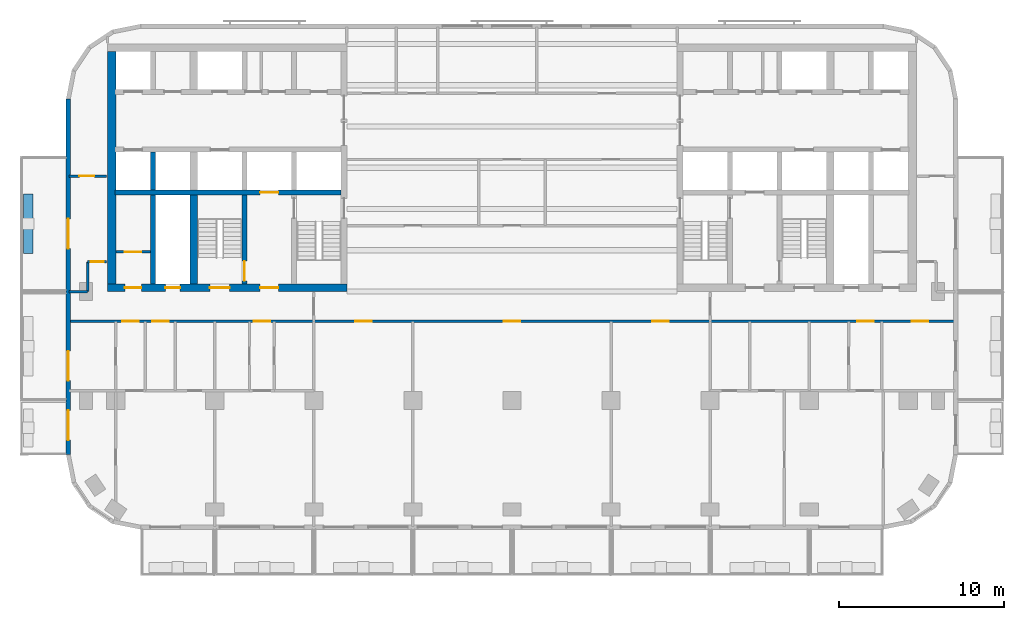
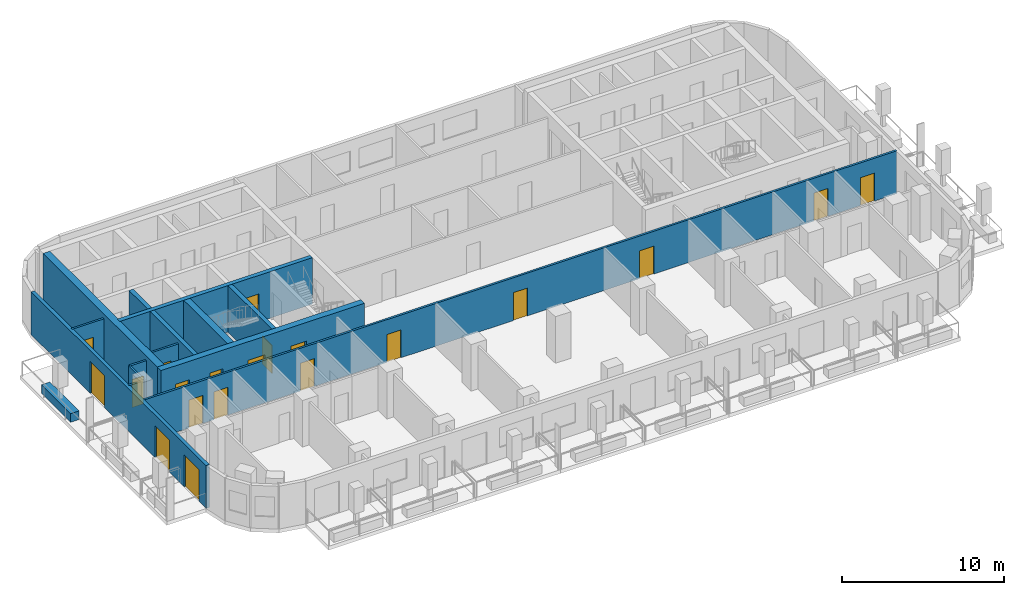
# One storey, part 3 of 11: 20 doors, 15 walls, 20 openings.
"""IFC4 building model written with IfcOpenShell, lengths in metres."""

from ifc_helpers import new_model, si_unit, direction, frame, frame_2d, origin, place, context, subcontext, project, spatial, rectangle, extrude, material, layer, layer_set, type_object, element, fill, save


model = new_model("IFC4")

# Units and contexts
model_context = context("Model", 3, precision=1e-05, world=origin(), true_north=direction((0.0, 1.0)))
body_context = subcontext(model_context, "Body", "Model", "MODEL_VIEW")
ifc_project = project(units=[si_unit("LENGTHUNIT", "METRE"), si_unit("AREAUNIT", "SQUARE_METRE"), si_unit("VOLUMEUNIT", "CUBIC_METRE"), si_unit("PLANEANGLEUNIT", "RADIAN"), si_unit("MASSUNIT", "GRAM", prefix="KILO")], contexts=[model_context])

# Site, building, storey
site_placement = place(None, origin())
site = spatial("IfcSite", under=ifc_project, at=site_placement, CompositionType="ELEMENT")
building_placement = place(site_placement, origin())
building = spatial("IfcBuilding", under=site, at=building_placement, Name="Torana Hotel and Residences", CompositionType="ELEMENT")
storey_placement = place(building_placement, frame((0.0, 0.0, 218.60009765625)))
storey = spatial("IfcBuildingStorey", under=building, at=storey_placement, Name="L57", CompositionType="ELEMENT", Elevation=218.60009765625)

# Wall, opening, door
ifc_material_1 = material(Name="Concrete C70/85", Category="concrete")
ifc_layer_1 = layer(ifc_material_1, 0.300048828125)
ifc_layer_set_1 = layer_set([ifc_layer_1], Name="CORE WALL 300 C70/85")
wall_type_1 = type_object("IfcWallType", Name="CORE WALL 300 C70/85", PredefinedType="SHEAR", material=ifc_layer_set_1)
wall_1_placement = place(storey_placement, frame((-24.050048828125, -9.0, 0.0), z_axis=(0.0, 0.0, 1.0), x_axis=(1.0, 0.0, 0.0)))
wall_1 = element("IfcWall", 1, at=wall_1_placement, inside=storey, type_object=wall_type_1, Name="Core wall W band", PredefinedType="SHEAR", context=body_context, shape_type="SweptSolid", body=[
    extrude(rectangle(XDim=13.699951171875, YDim=0.300048828125, at=frame_2d((6.85009765625, 0.0))), origin(), (0.0, 0.0, 1.0), 3.5),
])
opening_1_placement = place(wall_1_placement, frame((8.800048828125, 0.0, 0.0)))
opening_1 = element("IfcOpeningElement", 2, at=opening_1_placement, cuts=wall_1, Name="Opening LD", PredefinedType="OPENING", context=body_context, shape_type="SweptSolid", body=[
    extrude(rectangle(XDim=1.10009765625, YDim=2.10009765625, at=frame_2d((0.550048828125, 1.050048828125))), frame((0.0, 0.159912109375, 0.0), z_axis=(0.0, -1.0, 0.0), x_axis=(1.0, 0.0, 0.0)), (0.0, 0.0, 1.0), 0.320068359375),
])
ifc_material_2 = material(Name="Stainless steel 316", Category="steel")
door_type_1 = type_object("IfcDoorType", Name="LIFT LANDING DOOR LD 1100x2100", OperationType="DOUBLE_DOOR_SLIDING", PredefinedType="USERDEFINED", material=ifc_material_2)
door_1_placement = place(opening_1_placement, origin())
door_1 = element("IfcDoor", 3, at=door_1_placement, inside=storey, type_object=door_type_1, Name="Lift landing door FF1 L57", ObjectType="LIFT LANDING DOOR", OperationType="DOUBLE_DOOR_SLIDING", OverallHeight=2.10009765625, OverallWidth=1.10009765625, PredefinedType="USERDEFINED", context=body_context, shape_type="SweptSolid", body=[
    extrude(rectangle(XDim=1.10009765625, YDim=2.10009765625, at=frame_2d((0.550048828125, 1.050048828125))), frame((0.0, 0.02490234375, 0.0), z_axis=(0.0, -1.0, 0.0), x_axis=(1.0, 0.0, 0.0)), (0.0, 0.0, 1.0), 0.050048828125),
])
fill(opening_1, door_1)

wall_2_placement = place(storey_placement, frame((-16.199951171875, -14.550048828125, 0.0), z_axis=(0.0, 0.0, 1.0), x_axis=(0.0, 1.0, 0.0)))
wall_2 = element("IfcWall", 4, at=wall_2_placement, inside=storey, type_object=wall_type_1, Name="Core wall W x6.05-band", PredefinedType="SHEAR", context=body_context, shape_type="SweptSolid", body=[
    extrude(rectangle(XDim=5.400146484375, YDim=0.300048828125, at=frame_2d((2.7001953125, 0.0))), origin(), (0.0, 0.0, 1.0), 3.5),
])
opening_2_placement = place(wall_2_placement, frame((0.199951171875, 0.0, 0.0)))
opening_2 = element("IfcOpeningElement", 5, at=opening_2_placement, cuts=wall_2, Name="Opening L57-14", PredefinedType="OPENING", context=body_context, shape_type="SweptSolid", body=[
    extrude(rectangle(XDim=1.199951171875, YDim=2.10009765625, at=frame_2d((0.60009765625, 1.050048828125))), frame((0.0, 0.159912109375, 0.0), z_axis=(0.0, -1.0, 0.0), x_axis=(1.0, 0.0, 0.0)), (0.0, 0.0, 1.0), 0.320068359375),
])
ifc_material_3 = material(Name="Steel S235", Category="steel")
door_type_2 = type_object("IfcDoorType", Name="STAIR FIRE DOOR D3 1200x2100", OperationType="SINGLE_SWING_LEFT", PredefinedType="DOOR", material=ifc_material_3)
door_2_placement = place(opening_2_placement, origin())
door_2 = element("IfcDoor", 6, at=door_2_placement, inside=storey, type_object=door_type_2, Name="Stair-B-lobby door L57", OperationType="SINGLE_SWING_RIGHT", OverallHeight=2.10009765625, OverallWidth=1.199951171875, PredefinedType="DOOR", context=body_context, shape_type="SweptSolid", body=[
    extrude(rectangle(XDim=1.199951171875, YDim=2.10009765625, at=frame_2d((0.60009765625, 1.050048828125))), frame((0.0, 0.02490234375, 0.0), z_axis=(0.0, -1.0, 0.0), x_axis=(1.0, 0.0, 0.0)), (0.0, 0.0, 1.0), 0.050048828125),
])
fill(opening_2, door_2)

# Walls
wall_3_placement = place(storey_placement, frame((-21.75, -8.85009765625, 0.0), z_axis=(0.0, 0.0, 1.0), x_axis=(0.0, 1.0, 0.0)))
element("IfcWall", 7, at=wall_3_placement, inside=storey, type_object=wall_type_1, Name="Core wall W mm-S", PredefinedType="SHEAR", context=body_context, shape_type="SweptSolid", body=[
    extrude(rectangle(XDim=2.300048828125, YDim=0.300048828125, at=frame_2d((1.14990234375, 0.0))), origin(), (0.0, 0.0, 1.0), 3.5),
])
wall_4_placement = place(storey_placement, frame((-21.75, -14.550048828125, 0.0), z_axis=(0.0, 0.0, 1.0), x_axis=(0.0, 1.0, 0.0)))
element("IfcWall", 8, at=wall_4_placement, inside=storey, type_object=wall_type_1, Name="Core wall W mm-band", PredefinedType="SHEAR", context=body_context, shape_type="SweptSolid", body=[
    extrude(rectangle(XDim=5.400146484375, YDim=0.300048828125, at=frame_2d((2.7001953125, 0.0))), origin(), (0.0, 0.0, 1.0), 3.5),
])

# Wall, openings, doors
ifc_material_4 = material(Name="Concrete C70/85", Category="concrete")
ifc_layer_2 = layer(ifc_material_4, 0.449951171875)
ifc_layer_set_2 = layer_set([ifc_layer_2], Name="CORE WALL 450 C70/85")
wall_type_2 = type_object("IfcWallType", Name="CORE WALL 450 C70/85", PredefinedType="SHEAR", material=ifc_layer_set_2)
wall_5_placement = place(storey_placement, frame((-24.5, -14.77490234375, 0.0), z_axis=(0.0, 0.0, 1.0), x_axis=(1.0, 0.0, 0.0)))
wall_5 = element("IfcWall", 9, at=wall_5_placement, inside=storey, type_object=wall_type_2, Name="Core wall W front", PredefinedType="SHEAR", context=body_context, shape_type="SweptSolid", body=[
    extrude(rectangle(XDim=14.5, YDim=0.449951171875, at=frame_2d((7.25, 0.0))), origin(), (0.0, 0.0, 1.0), 3.5),
])
opening_3_placement = place(wall_5_placement, frame((6.199951171875, 0.0, 0.0)))
opening_3 = element("IfcOpeningElement", 10, at=opening_3_placement, cuts=wall_5, Name="Opening L57-04", PredefinedType="OPENING", context=body_context, shape_type="SweptSolid", body=[
    extrude(rectangle(XDim=1.199951171875, YDim=2.10009765625, at=frame_2d((0.60009765625, 1.050048828125))), frame((0.0, 0.23486328125, 0.0), z_axis=(0.0, -1.0, 0.0), x_axis=(1.0, 0.0, 0.0)), (0.0, 0.0, 1.0), 0.469970703125),
])
opening_4_placement = place(wall_5_placement, frame((9.25, 0.0, 0.0)))
opening_4 = element("IfcOpeningElement", 11, at=opening_4_placement, cuts=wall_5, Name="Opening L57-05", PredefinedType="OPENING", context=body_context, shape_type="SweptSolid", body=[
    extrude(rectangle(XDim=1.10009765625, YDim=2.10009765625, at=frame_2d((0.550048828125, 1.050048828125))), frame((0.0, 0.23486328125, 0.0), z_axis=(0.0, -1.0, 0.0), x_axis=(1.0, 0.0, 0.0)), (0.0, 0.0, 1.0), 0.469970703125),
])
opening_5_placement = place(wall_5_placement, frame((3.5, 0.0, 0.0)))
opening_5 = element("IfcOpeningElement", 12, at=opening_5_placement, cuts=wall_5, Name="Opening L57-06", PredefinedType="OPENING", context=body_context, shape_type="SweptSolid", body=[
    extrude(rectangle(XDim=0.89990234375, YDim=2.10009765625, at=frame_2d((0.449951171875, 1.050048828125))), frame((0.0, 0.23486328125, 0.0), z_axis=(0.0, -1.0, 0.0), x_axis=(1.0, 0.0, 0.0)), (0.0, 0.0, 1.0), 0.469970703125),
])
opening_6_placement = place(wall_5_placement, frame((1.050048828125, 0.0, 0.0)))
opening_6 = element("IfcOpeningElement", 13, at=opening_6_placement, cuts=wall_5, Name="Opening L57-07", PredefinedType="OPENING", context=body_context, shape_type="SweptSolid", body=[
    extrude(rectangle(XDim=1.0, YDim=2.10009765625, at=frame_2d((0.5, 1.050048828125))), frame((0.0, 0.23486328125, 0.0), z_axis=(0.0, -1.0, 0.0), x_axis=(1.0, 0.0, 0.0)), (0.0, 0.0, 1.0), 0.469970703125),
])
ifc_material_5 = material(Name="Steel S235", Category="steel")
door_type_3 = type_object("IfcDoorType", Name="CORE ROOM FIRE DOOR D14 1000x2100", OperationType="SINGLE_SWING_LEFT", PredefinedType="DOOR", material=ifc_material_5)
door_3_placement = place(opening_6_placement, origin())
door_3 = element("IfcDoor", 14, at=door_3_placement, inside=storey, type_object=door_type_3, Name="M-Room-B door L57", OperationType="SINGLE_SWING_RIGHT", OverallHeight=2.10009765625, OverallWidth=1.0, PredefinedType="DOOR", context=body_context, shape_type="SweptSolid", body=[
    extrude(rectangle(XDim=1.0, YDim=2.10009765625, at=frame_2d((0.5, 1.050048828125))), frame((0.0, 0.02490234375, 0.0), z_axis=(0.0, -1.0, 0.0), x_axis=(1.0, 0.0, 0.0)), (0.0, 0.0, 1.0), 0.050048828125),
])
fill(opening_6, door_3)
ifc_material_6 = material(Name="Steel S235", Category="steel")
door_type_4 = type_object("IfcDoorType", Name="FIRE-FIGHTING LOBBY DOOR D8 1100x2100", OperationType="SINGLE_SWING_LEFT", PredefinedType="DOOR", material=ifc_material_6)
door_4_placement = place(opening_4_placement, origin())
door_4 = element("IfcDoor", 15, at=door_4_placement, inside=storey, type_object=door_type_4, Name="FF-lobby door L57", OperationType="SINGLE_SWING_RIGHT", OverallHeight=2.10009765625, OverallWidth=1.10009765625, PredefinedType="DOOR", context=body_context, shape_type="SweptSolid", body=[
    extrude(rectangle(XDim=1.10009765625, YDim=2.10009765625, at=frame_2d((0.550048828125, 1.050048828125))), frame((0.0, 0.02490234375, 0.0), z_axis=(0.0, -1.0, 0.0), x_axis=(1.0, 0.0, 0.0)), (0.0, 0.0, 1.0), 0.050048828125),
])
fill(opening_4, door_4)
ifc_material_7 = material(Name="Steel S235", Category="steel")
door_type_5 = type_object("IfcDoorType", Name="RISER ACCESS DOOR D5 900x2100", OperationType="SINGLE_SWING_LEFT", PredefinedType="DOOR", material=ifc_material_7)
door_5_placement = place(opening_5_placement, origin())
door_5 = element("IfcDoor", 16, at=door_5_placement, inside=storey, type_object=door_type_5, Name="M-Riser door L57", OperationType="SINGLE_SWING_RIGHT", OverallHeight=2.10009765625, OverallWidth=0.89990234375, PredefinedType="DOOR", context=body_context, shape_type="SweptSolid", body=[
    extrude(rectangle(XDim=0.89990234375, YDim=2.10009765625, at=frame_2d((0.449951171875, 1.050048828125))), frame((0.0, 0.02490234375, 0.0), z_axis=(0.0, -1.0, 0.0), x_axis=(1.0, 0.0, 0.0)), (0.0, 0.0, 1.0), 0.050048828125),
])
fill(opening_5, door_5)
door_6_placement = place(opening_3_placement, origin())
door_6 = element("IfcDoor", 17, at=door_6_placement, inside=storey, type_object=door_type_2, Name="Stair-B door L57", OperationType="SINGLE_SWING_RIGHT", OverallHeight=2.10009765625, OverallWidth=1.199951171875, PredefinedType="DOOR", context=body_context, shape_type="SweptSolid", body=[
    extrude(rectangle(XDim=1.199951171875, YDim=2.10009765625, at=frame_2d((0.60009765625, 1.050048828125))), frame((0.0, 0.02490234375, 0.0), z_axis=(0.0, -1.0, 0.0), x_axis=(1.0, 0.0, 0.0)), (0.0, 0.0, 1.0), 0.050048828125),
])
fill(opening_3, door_6)

# Walls
wall_6_placement = place(storey_placement, frame((-19.27490234375, -14.550048828125, 0.0), z_axis=(0.0, 0.0, 1.0), x_axis=(0.0, 1.0, 0.0)))
element("IfcWall", 18, at=wall_6_placement, inside=storey, type_object=wall_type_2, Name="Core wall W hm-band", PredefinedType="SHEAR", context=body_context, shape_type="SweptSolid", body=[
    extrude(rectangle(XDim=5.400146484375, YDim=0.449951171875, at=frame_2d((2.7001953125, 0.0))), origin(), (0.0, 0.0, 1.0), 3.5),
])
ifc_material_8 = material(Name="Concrete C70/85", Category="concrete")
ifc_layer_3 = layer(ifc_material_8, 0.5)
ifc_layer_set_3 = layer_set([ifc_layer_3], Name="CORE WALL 500 C70/85")
wall_type_3 = type_object("IfcWallType", Name="CORE WALL 500 C70/85", PredefinedType="SHEAR", material=ifc_layer_set_3)
wall_7_placement = place(storey_placement, frame((-24.25, -14.550048828125, 0.0), z_axis=(0.0, 0.0, 1.0), x_axis=(0.0, 1.0, 0.0)))
element("IfcWall", 19, at=wall_7_placement, inside=storey, type_object=wall_type_3, Name="Core wall W outer", PredefinedType="SHEAR", context=body_context, shape_type="SweptSolid", body=[
    extrude(rectangle(XDim=14.10009765625, YDim=0.5, at=frame_2d((7.050048828125, 0.0))), origin(), (0.0, 0.0, 1.0), 3.5),
])

# Wall, openings, doors
ifc_material_9 = material(Name="Black aluminium composite panel", Category="aluminium")
ifc_layer_4 = layer(ifc_material_9, 0.00390625, Name="Cladding", Category="cladding")
ifc_material_10 = material(Name="Ventilated air cavity")
ifc_layer_5 = layer(ifc_material_10, 0.0400390625, Name="Ventilated cavity", Category="cavity")
ifc_material_11 = material(Name="Mineral wool insulation")
ifc_layer_6 = layer(ifc_material_11, 0.090087890625, Name="Insulation", Category="insulation")
ifc_material_12 = material(Name="Steel S280GD", Category="steel")
ifc_layer_7 = layer(ifc_material_12, 0.092041015625, Name="Steel stud frame", Category="structure")
ifc_material_13 = material(Name="Fire rated plasterboard")
ifc_layer_8 = layer(ifc_material_13, 0.011962890625, Name="Inner board", Category="finish")
ifc_layer_9 = layer(ifc_material_13, 0.011962890625, Name="Second board", Category="finish")
ifc_layer_set_4 = layer_set([ifc_layer_4, ifc_layer_5, ifc_layer_6, ifc_layer_7, ifc_layer_8, ifc_layer_9], Name="EW1 EXTERNAL WALL BLACK METAL CLAD 250")
wall_type_4 = type_object("IfcWallType", Name="EW1 EXTERNAL WALL BLACK METAL CLAD 250", PredefinedType="SOLIDWALL", material=ifc_layer_set_4)
wall_8_placement = place(storey_placement, frame((-26.875, -3.32470703125, 0.0), z_axis=(0.0, 0.0, 1.0), x_axis=(0.0, -1.0, 0.0)))
wall_8 = element("IfcWall", 20, at=wall_8_placement, inside=storey, type_object=wall_type_4, Name="External wall L57 e0.9", PredefinedType="SOLIDWALL", context=body_context, shape_type="SweptSolid", body=[
    extrude(rectangle(XDim=21.55078125, YDim=0.25, at=frame_2d((10.775390625, 0.0))), origin(), (0.0, 0.0, 1.0), 3.219970703125),
])
opening_7_placement = place(wall_8_placement, frame((7.275390625, 0.0, 0.0)))
opening_7 = element("IfcOpeningElement", 21, at=opening_7_placement, cuts=wall_8, Name="Opening L57-E12", PredefinedType="OPENING", context=body_context, shape_type="SweptSolid", body=[
    extrude(rectangle(XDim=1.800048828125, YDim=2.39990234375, at=frame_2d((0.89990234375, 1.199951171875))), frame((0.0, 0.135009765625, 0.0), z_axis=(0.0, -1.0, 0.0), x_axis=(1.0, 0.0, 0.0)), (0.0, 0.0, 1.0), 0.27001953125),
])
opening_8_placement = place(wall_8_placement, frame((15.275390625, 0.0, 0.0)))
opening_8 = element("IfcOpeningElement", 22, at=opening_8_placement, cuts=wall_8, Name="Opening L57-E13", PredefinedType="OPENING", context=body_context, shape_type="SweptSolid", body=[
    extrude(rectangle(XDim=1.800048828125, YDim=2.39990234375, at=frame_2d((0.89990234375, 1.199951171875))), frame((0.0, 0.135009765625, 0.0), z_axis=(0.0, -1.0, 0.0), x_axis=(1.0, 0.0, 0.0)), (0.0, 0.0, 1.0), 0.27001953125),
])
opening_9_placement = place(wall_8_placement, frame((18.87548828125, 0.0, 0.0)))
opening_9 = element("IfcOpeningElement", 23, at=opening_9_placement, cuts=wall_8, Name="Opening L57-E14", PredefinedType="OPENING", context=body_context, shape_type="SweptSolid", body=[
    extrude(rectangle(XDim=1.800048828125, YDim=2.39990234375, at=frame_2d((0.89990234375, 1.199951171875))), frame((0.0, 0.135009765625, 0.0), z_axis=(0.0, -1.0, 0.0), x_axis=(1.0, 0.0, 0.0)), (0.0, 0.0, 1.0), 0.27001953125),
])
ifc_material_14 = material(Name="Dark glass in black aluminium frame", Category="aluminium")
door_type_6 = type_object("IfcDoorType", Name="DB1 BALCONY DOOR 1800x2400", OperationType="DOUBLE_DOOR_SINGLE_SWING", PredefinedType="DOOR", material=ifc_material_14)
door_7_placement = place(opening_7_placement, origin())
door_7 = element("IfcDoor", 24, at=door_7_placement, inside=storey, type_object=door_type_6, Name="Balcony door L57", OperationType="DOUBLE_DOOR_SINGLE_SWING", OverallHeight=2.39990234375, OverallWidth=1.800048828125, PredefinedType="DOOR", context=body_context, shape_type="SweptSolid", body=[
    extrude(rectangle(XDim=1.800048828125, YDim=2.39990234375, at=frame_2d((0.89990234375, 1.199951171875))), frame((0.0, 0.02490234375, 0.0), z_axis=(0.0, -1.0, 0.0), x_axis=(1.0, 0.0, 0.0)), (0.0, 0.0, 1.0), 0.050048828125),
])
fill(opening_7, door_7)
door_8_placement = place(opening_8_placement, origin())
door_8 = element("IfcDoor", 25, at=door_8_placement, inside=storey, type_object=door_type_6, Name="Balcony door L57", OperationType="DOUBLE_DOOR_SINGLE_SWING", OverallHeight=2.39990234375, OverallWidth=1.800048828125, PredefinedType="DOOR", context=body_context, shape_type="SweptSolid", body=[
    extrude(rectangle(XDim=1.800048828125, YDim=2.39990234375, at=frame_2d((0.89990234375, 1.199951171875))), frame((0.0, 0.02490234375, 0.0), z_axis=(0.0, -1.0, 0.0), x_axis=(1.0, 0.0, 0.0)), (0.0, 0.0, 1.0), 0.050048828125),
])
fill(opening_8, door_8)
door_9_placement = place(opening_9_placement, origin())
door_9 = element("IfcDoor", 26, at=door_9_placement, inside=storey, type_object=door_type_6, Name="Balcony door L57", OperationType="DOUBLE_DOOR_SINGLE_SWING", OverallHeight=2.39990234375, OverallWidth=1.800048828125, PredefinedType="DOOR", context=body_context, shape_type="SweptSolid", body=[
    extrude(rectangle(XDim=1.800048828125, YDim=2.39990234375, at=frame_2d((0.89990234375, 1.199951171875))), frame((0.0, 0.02490234375, 0.0), z_axis=(0.0, -1.0, 0.0), x_axis=(1.0, 0.0, 0.0)), (0.0, 0.0, 1.0), 0.050048828125),
])
fill(opening_9, door_9)

# Wall, opening, door
ifc_material_15 = material(Name="Gypsum plaster")
ifc_layer_10 = layer(ifc_material_15, 0.014892578125, Name="Plaster", Category="finish")
ifc_material_16 = material(Name="Concrete blockwork", Category="masonry")
ifc_layer_11 = layer(ifc_material_16, 0.1201171875, Name="Blockwork", Category="structure")
ifc_layer_12 = layer(ifc_material_15, 0.014892578125, Name="Plaster", Category="finish")
ifc_layer_set_5 = layer_set([ifc_layer_10, ifc_layer_11, ifc_layer_12], Name="FIRE PARTITION 150 BLOCKWORK")
wall_type_5 = type_object("IfcWallType", Name="FIRE PARTITION 150 BLOCKWORK", PredefinedType="PARTITIONING", material=ifc_layer_set_5)
wall_9_placement = place(storey_placement, frame((-24.0, -12.60009765625, 0.0), z_axis=(0.0, 0.0, 1.0), x_axis=(1.0, 0.0, 0.0)))
wall_9 = element("IfcWall", 27, at=wall_9_placement, inside=storey, type_object=wall_type_5, Name="Core partition L57", PredefinedType="PARTITIONING", context=body_context, shape_type="SweptSolid", body=[
    extrude(rectangle(XDim=2.10009765625, YDim=0.14990234375, at=frame_2d((1.050048828125, 0.0))), origin(), (0.0, 0.0, 1.0), 3.199951171875),
])
opening_10_placement = place(wall_9_placement, frame((0.550048828125, 0.0, 0.0)))
opening_10 = element("IfcOpeningElement", 28, at=opening_10_placement, cuts=wall_9, Name="Opening L57-29", PredefinedType="OPENING", context=body_context, shape_type="SweptSolid", body=[
    extrude(rectangle(XDim=1.0, YDim=2.10009765625, at=frame_2d((0.5, 1.050048828125))), frame((0.0, 0.0849609375, 0.0), z_axis=(0.0, -1.0, 0.0), x_axis=(1.0, 0.0, 0.0)), (0.0, 0.0, 1.0), 0.169921875),
])
door_10_placement = place(opening_10_placement, origin())
door_10 = element("IfcDoor", 29, at=door_10_placement, inside=storey, type_object=door_type_3, Name="Plant room door L57", OperationType="SINGLE_SWING_RIGHT", OverallHeight=2.10009765625, OverallWidth=1.0, PredefinedType="DOOR", context=body_context, shape_type="SweptSolid", body=[
    extrude(rectangle(XDim=1.0, YDim=2.10009765625, at=frame_2d((0.5, 1.050048828125))), frame((0.0, 0.02490234375, 0.0), z_axis=(0.0, -1.0, 0.0), x_axis=(1.0, 0.0, 0.0)), (0.0, 0.0, 1.0), 0.050048828125),
])
fill(opening_10, door_10)

# Wall
wall_10_placement = place(storey_placement, frame((-25.699951171875, -15.0, 0.0), z_axis=(0.0, 0.0, 1.0), x_axis=(0.0, 1.0, 0.0)))
element("IfcWall", 30, at=wall_10_placement, inside=storey, type_object=wall_type_5, Name="Partition L57", PredefinedType="PARTITIONING", context=body_context, shape_type="SweptSolid", body=[
    extrude(rectangle(XDim=1.800048828125, YDim=0.14990234375, at=frame_2d((0.89990234375, 0.0))), origin(), (0.0, 0.0, 1.0), 3.219970703125),
])

# Wall, openings, doors
wall_11_placement = place(storey_placement, frame((-26.820068359375, -16.800048828125, 0.0), z_axis=(0.0, 0.0, 1.0), x_axis=(1.0, 0.0, 0.0)))
wall_11 = element("IfcWall", 31, at=wall_11_placement, inside=storey, type_object=wall_type_5, Name="Partition L57", PredefinedType="PARTITIONING", context=body_context, shape_type="SweptSolid", body=[
    extrude(rectangle(XDim=53.64013671875, YDim=0.14990234375, at=frame_2d((26.820068359375, 0.0))), origin(), (0.0, 0.0, 1.0), 3.219970703125),
])
opening_11_placement = place(wall_11_placement, frame((11.169921875, 0.0, 0.0)))
opening_11 = element("IfcOpeningElement", 32, at=opening_11_placement, cuts=wall_11, Name="Opening L57-32", PredefinedType="OPENING", context=body_context, shape_type="SweptSolid", body=[
    extrude(rectangle(XDim=1.0, YDim=2.10009765625, at=frame_2d((0.5, 1.050048828125))), frame((0.0, 0.0849609375, 0.0), z_axis=(0.0, -1.0, 0.0), x_axis=(1.0, 0.0, 0.0)), (0.0, 0.0, 1.0), 0.169921875),
])
opening_12_placement = place(wall_11_placement, frame((3.219970703125, 0.0, 0.0)))
opening_12 = element("IfcOpeningElement", 33, at=opening_12_placement, cuts=wall_11, Name="Opening L57-33", PredefinedType="OPENING", context=body_context, shape_type="SweptSolid", body=[
    extrude(rectangle(XDim=1.0, YDim=2.10009765625, at=frame_2d((0.5, 1.050048828125))), frame((0.0, 0.0849609375, 0.0), z_axis=(0.0, -1.0, 0.0), x_axis=(1.0, 0.0, 0.0)), (0.0, 0.0, 1.0), 0.169921875),
])
opening_13_placement = place(wall_11_placement, frame((5.02001953125, 0.0, 0.0)))
opening_13 = element("IfcOpeningElement", 34, at=opening_13_placement, cuts=wall_11, Name="Opening L57-34", PredefinedType="OPENING", context=body_context, shape_type="SweptSolid", body=[
    extrude(rectangle(XDim=1.0, YDim=2.10009765625, at=frame_2d((0.5, 1.050048828125))), frame((0.0, 0.0849609375, 0.0), z_axis=(0.0, -1.0, 0.0), x_axis=(1.0, 0.0, 0.0)), (0.0, 0.0, 1.0), 0.169921875),
])
opening_14_placement = place(wall_11_placement, frame((47.719970703125, 0.0, 0.0)))
opening_14 = element("IfcOpeningElement", 35, at=opening_14_placement, cuts=wall_11, Name="Opening L57-37", PredefinedType="OPENING", context=body_context, shape_type="SweptSolid", body=[
    extrude(rectangle(XDim=1.0, YDim=2.10009765625, at=frame_2d((0.5, 1.050048828125))), frame((0.0, 0.0849609375, 0.0), z_axis=(0.0, -1.0, 0.0), x_axis=(1.0, 0.0, 0.0)), (0.0, 0.0, 1.0), 0.169921875),
])
opening_15_placement = place(wall_11_placement, frame((51.0400390625, 0.0, 0.0)))
opening_15 = element("IfcOpeningElement", 36, at=opening_15_placement, cuts=wall_11, Name="Opening L57-38", PredefinedType="OPENING", context=body_context, shape_type="SweptSolid", body=[
    extrude(rectangle(XDim=1.0, YDim=2.10009765625, at=frame_2d((0.5, 1.050048828125))), frame((0.0, 0.0849609375, 0.0), z_axis=(0.0, -1.0, 0.0), x_axis=(1.0, 0.0, 0.0)), (0.0, 0.0, 1.0), 0.169921875),
])
opening_16_placement = place(wall_11_placement, frame((17.320068359375, 0.0, 0.0)))
opening_16 = element("IfcOpeningElement", 37, at=opening_16_placement, cuts=wall_11, Name="Opening L57-41", PredefinedType="OPENING", context=body_context, shape_type="SweptSolid", body=[
    extrude(rectangle(XDim=1.0, YDim=2.10009765625, at=frame_2d((0.5, 1.050048828125))), frame((0.0, 0.0849609375, 0.0), z_axis=(0.0, -1.0, 0.0), x_axis=(1.0, 0.0, 0.0)), (0.0, 0.0, 1.0), 0.169921875),
])
opening_17_placement = place(wall_11_placement, frame((26.320068359375, 0.0, 0.0)))
opening_17 = element("IfcOpeningElement", 38, at=opening_17_placement, cuts=wall_11, Name="Opening L57-42", PredefinedType="OPENING", context=body_context, shape_type="SweptSolid", body=[
    extrude(rectangle(XDim=1.0, YDim=2.10009765625, at=frame_2d((0.5, 1.050048828125))), frame((0.0, 0.0849609375, 0.0), z_axis=(0.0, -1.0, 0.0), x_axis=(1.0, 0.0, 0.0)), (0.0, 0.0, 1.0), 0.169921875),
])
opening_18_placement = place(wall_11_placement, frame((35.320068359375, 0.0, 0.0)))
opening_18 = element("IfcOpeningElement", 39, at=opening_18_placement, cuts=wall_11, Name="Opening L57-43", PredefinedType="OPENING", context=body_context, shape_type="SweptSolid", body=[
    extrude(rectangle(XDim=1.0, YDim=2.10009765625, at=frame_2d((0.5, 1.050048828125))), frame((0.0, 0.0849609375, 0.0), z_axis=(0.0, -1.0, 0.0), x_axis=(1.0, 0.0, 0.0)), (0.0, 0.0, 1.0), 0.169921875),
])
ifc_material_17 = material(Name="Steel S235", Category="steel")
door_type_7 = type_object("IfcDoorType", Name="ENTRY FIRE DOOR D6 1000x2100", OperationType="SINGLE_SWING_LEFT", PredefinedType="DOOR", material=ifc_material_17)
door_11_placement = place(opening_11_placement, origin())
door_11 = element("IfcDoor", 40, at=door_11_placement, inside=storey, type_object=door_type_7, Name="Door L57", OperationType="SINGLE_SWING_RIGHT", OverallHeight=2.10009765625, OverallWidth=1.0, PredefinedType="DOOR", context=body_context, shape_type="SweptSolid", body=[
    extrude(rectangle(XDim=1.0, YDim=2.10009765625, at=frame_2d((0.5, 1.050048828125))), frame((0.0, 0.02490234375, 0.0), z_axis=(0.0, -1.0, 0.0), x_axis=(1.0, 0.0, 0.0)), (0.0, 0.0, 1.0), 0.050048828125),
])
fill(opening_11, door_11)
door_12_placement = place(opening_12_placement, origin())
door_12 = element("IfcDoor", 41, at=door_12_placement, inside=storey, type_object=door_type_7, Name="Door L57", OperationType="SINGLE_SWING_RIGHT", OverallHeight=2.10009765625, OverallWidth=1.0, PredefinedType="DOOR", context=body_context, shape_type="SweptSolid", body=[
    extrude(rectangle(XDim=1.0, YDim=2.10009765625, at=frame_2d((0.5, 1.050048828125))), frame((0.0, 0.02490234375, 0.0), z_axis=(0.0, -1.0, 0.0), x_axis=(1.0, 0.0, 0.0)), (0.0, 0.0, 1.0), 0.050048828125),
])
fill(opening_12, door_12)
door_13_placement = place(opening_13_placement, frame((0.5, 0.0, 0.0), z_axis=(0.0, 0.0, 1.0), x_axis=(-1.0, 0.0, 0.0)))
door_13 = element("IfcDoor", 42, at=door_13_placement, inside=storey, type_object=door_type_7, Name="Door L57", OperationType="SINGLE_SWING_LEFT", OverallHeight=2.10009765625, OverallWidth=1.0, PredefinedType="DOOR", context=body_context, shape_type="SweptSolid", body=[
    extrude(rectangle(XDim=1.0, YDim=2.10009765625, at=frame_2d((0.0, 1.050048828125))), frame((0.0, -0.02490234375, 0.0), z_axis=(0.0, 1.0, 0.0), x_axis=(-1.0, 0.0, 0.0)), (0.0, 0.0, 1.0), 0.050048828125),
])
fill(opening_13, door_13)
door_14_placement = place(opening_14_placement, origin())
door_14 = element("IfcDoor", 43, at=door_14_placement, inside=storey, type_object=door_type_7, Name="Door L57", OperationType="SINGLE_SWING_RIGHT", OverallHeight=2.10009765625, OverallWidth=1.0, PredefinedType="DOOR", context=body_context, shape_type="SweptSolid", body=[
    extrude(rectangle(XDim=1.0, YDim=2.10009765625, at=frame_2d((0.5, 1.050048828125))), frame((0.0, 0.02490234375, 0.0), z_axis=(0.0, -1.0, 0.0), x_axis=(1.0, 0.0, 0.0)), (0.0, 0.0, 1.0), 0.050048828125),
])
fill(opening_14, door_14)
door_15_placement = place(opening_15_placement, frame((0.5, 0.0, 0.0), z_axis=(0.0, 0.0, 1.0), x_axis=(-1.0, 0.0, 0.0)))
door_15 = element("IfcDoor", 44, at=door_15_placement, inside=storey, type_object=door_type_7, Name="Door L57", OperationType="SINGLE_SWING_LEFT", OverallHeight=2.10009765625, OverallWidth=1.0, PredefinedType="DOOR", context=body_context, shape_type="SweptSolid", body=[
    extrude(rectangle(XDim=1.0, YDim=2.10009765625, at=frame_2d((0.0, 1.050048828125))), frame((0.0, -0.02490234375, 0.0), z_axis=(0.0, 1.0, 0.0), x_axis=(-1.0, 0.0, 0.0)), (0.0, 0.0, 1.0), 0.050048828125),
])
fill(opening_15, door_15)
door_16_placement = place(opening_16_placement, frame((0.5, 0.0, 0.0), z_axis=(0.0, 0.0, 1.0), x_axis=(-1.0, 0.0, 0.0)))
door_16 = element("IfcDoor", 45, at=door_16_placement, inside=storey, type_object=door_type_7, Name="Door L57", OperationType="SINGLE_SWING_LEFT", OverallHeight=2.10009765625, OverallWidth=1.0, PredefinedType="DOOR", context=body_context, shape_type="SweptSolid", body=[
    extrude(rectangle(XDim=1.0, YDim=2.10009765625, at=frame_2d((0.0, 1.050048828125))), frame((0.0, -0.02490234375, 0.0), z_axis=(0.0, 1.0, 0.0), x_axis=(-1.0, 0.0, 0.0)), (0.0, 0.0, 1.0), 0.050048828125),
])
fill(opening_16, door_16)
door_17_placement = place(opening_17_placement, frame((0.5, 0.0, 0.0), z_axis=(0.0, 0.0, 1.0), x_axis=(-1.0, 0.0, 0.0)))
door_17 = element("IfcDoor", 46, at=door_17_placement, inside=storey, type_object=door_type_7, Name="Door L57", OperationType="SINGLE_SWING_LEFT", OverallHeight=2.10009765625, OverallWidth=1.0, PredefinedType="DOOR", context=body_context, shape_type="SweptSolid", body=[
    extrude(rectangle(XDim=1.0, YDim=2.10009765625, at=frame_2d((0.0, 1.050048828125))), frame((0.0, -0.02490234375, 0.0), z_axis=(0.0, 1.0, 0.0), x_axis=(-1.0, 0.0, 0.0)), (0.0, 0.0, 1.0), 0.050048828125),
])
fill(opening_17, door_17)
door_18_placement = place(opening_18_placement, frame((0.5, 0.0, 0.0), z_axis=(0.0, 0.0, 1.0), x_axis=(-1.0, 0.0, 0.0)))
door_18 = element("IfcDoor", 47, at=door_18_placement, inside=storey, type_object=door_type_7, Name="Door L57", OperationType="SINGLE_SWING_LEFT", OverallHeight=2.10009765625, OverallWidth=1.0, PredefinedType="DOOR", context=body_context, shape_type="SweptSolid", body=[
    extrude(rectangle(XDim=1.0, YDim=2.10009765625, at=frame_2d((0.0, 1.050048828125))), frame((0.0, -0.02490234375, 0.0), z_axis=(0.0, 1.0, 0.0), x_axis=(-1.0, 0.0, 0.0)), (0.0, 0.0, 1.0), 0.050048828125),
])
fill(opening_18, door_18)

# Wall
wall_12_placement = place(storey_placement, frame((-26.820068359375, -15.0, 0.0), z_axis=(0.0, 0.0, 1.0), x_axis=(1.0, 0.0, 0.0)))
element("IfcWall", 48, at=wall_12_placement, inside=storey, type_object=wall_type_5, Name="Partition L57", PredefinedType="PARTITIONING", context=body_context, shape_type="SweptSolid", body=[
    extrude(rectangle(XDim=1.1201171875, YDim=0.14990234375, at=frame_2d((0.56005859375, 0.0))), origin(), (0.0, 0.0, 1.0), 3.219970703125),
])

# Wall, opening, door
wall_13_placement = place(storey_placement, frame((-25.699951171875, -13.199951171875, 0.0), z_axis=(0.0, 0.0, 1.0), x_axis=(1.0, 0.0, 0.0)))
wall_13 = element("IfcWall", 49, at=wall_13_placement, inside=storey, type_object=wall_type_5, Name="Partition L57", PredefinedType="PARTITIONING", context=body_context, shape_type="SweptSolid", body=[
    extrude(rectangle(XDim=1.14990234375, YDim=0.14990234375, at=frame_2d((0.574951171875, 0.0))), origin(), (0.0, 0.0, 1.0), 3.219970703125),
])
opening_19_placement = place(wall_13_placement, frame((0.175048828125, 0.0, 0.0)))
opening_19 = element("IfcOpeningElement", 50, at=opening_19_placement, cuts=wall_13, Name="Opening L57-35", PredefinedType="OPENING", context=body_context, shape_type="SweptSolid", body=[
    extrude(rectangle(XDim=0.800048828125, YDim=2.10009765625, at=frame_2d((0.39990234375, 1.050048828125))), frame((0.0, 0.0849609375, 0.0), z_axis=(0.0, -1.0, 0.0), x_axis=(1.0, 0.0, 0.0)), (0.0, 0.0, 1.0), 0.169921875),
])
ifc_material_18 = material(Name="Steel S235", Category="steel")
door_type_8 = type_object("IfcDoorType", Name="STORE FIRE DOOR D16 800x2100", OperationType="SINGLE_SWING_LEFT", PredefinedType="DOOR", material=ifc_material_18)
door_19_placement = place(opening_19_placement, origin())
door_19 = element("IfcDoor", 51, at=door_19_placement, inside=storey, type_object=door_type_8, Name="Door L57", OperationType="SINGLE_SWING_LEFT", OverallHeight=2.10009765625, OverallWidth=0.800048828125, PredefinedType="DOOR", context=body_context, shape_type="SweptSolid", body=[
    extrude(rectangle(XDim=0.800048828125, YDim=2.10009765625, at=frame_2d((0.39990234375, 1.050048828125))), frame((0.0, 0.02490234375, 0.0), z_axis=(0.0, -1.0, 0.0), x_axis=(1.0, 0.0, 0.0)), (0.0, 0.0, 1.0), 0.050048828125),
])
fill(opening_19, door_19)

# Wall
ifc_material_19 = material(Name="Concrete C40/50 precast", Category="concrete")
ifc_layer_13 = layer(ifc_material_19, 0.10009765625, Name="Planter shell", Category="structure")
ifc_material_20 = material(Name="Root resistant membrane")
ifc_layer_14 = layer(ifc_material_20, 0.00390625, Name="Waterproofing membrane", Category="membrane")
ifc_material_21 = material(Name="Drainage board with filter fleece")
ifc_layer_15 = layer(ifc_material_21, 0.02001953125, Name="Drainage board", Category="drainage")
ifc_material_22 = material(Name="Growing medium")
ifc_layer_16 = layer(ifc_material_22, 0.47607421875, Name="Planting substrate", Category="soil")
ifc_layer_set_6 = layer_set([ifc_layer_13, ifc_layer_14, ifc_layer_15, ifc_layer_16], Name="PL1 BALCONY PLANTER 600")
wall_type_6 = type_object("IfcWallType", Name="PL1 BALCONY PLANTER 600", PredefinedType="USERDEFINED", material=ifc_layer_set_6)
wall_14_placement = place(storey_placement, frame((-29.300048828125, -12.699951171875, 0.0), z_axis=(0.0, 0.0, 1.0), x_axis=(0.0, 1.0, 0.0)))
element("IfcWall", 52, at=wall_14_placement, inside=storey, type_object=wall_type_6, Name="Planter 11", ObjectType="PLANTER", PredefinedType="USERDEFINED", context=body_context, shape_type="SweptSolid", body=[
    extrude(rectangle(XDim=3.599853515625, YDim=0.60009765625, at=frame_2d((1.7998046875, 0.0))), origin(), (0.0, 0.0, 1.0), 0.64990234375),
])

# Wall, opening, door
ifc_material_23 = material(Name="Ceramic tile on adhesive")
ifc_layer_17 = layer(ifc_material_23, 0.010009765625, Name="Wall tile", Category="finish")
ifc_material_24 = material(Name="Cement render")
ifc_layer_18 = layer(ifc_material_24, 0.010009765625, Name="Render", Category="finish")
ifc_layer_19 = layer(ifc_material_16, 0.110107421875, Name="Blockwork", Category="structure")
ifc_layer_20 = layer(ifc_material_24, 0.010009765625, Name="Render", Category="finish")
ifc_layer_21 = layer(ifc_material_23, 0.010009765625, Name="Wall tile", Category="finish")
ifc_layer_set_7 = layer_set([ifc_layer_17, ifc_layer_18, ifc_layer_19, ifc_layer_20, ifc_layer_21], Name="WC PARTITION 150")
wall_type_7 = type_object("IfcWallType", Name="WC PARTITION 150", PredefinedType="PLUMBINGWALL", material=ifc_layer_set_7)
wall_15_placement = place(storey_placement, frame((-26.820068359375, -8.0, 0.0), z_axis=(0.0, 0.0, 1.0), x_axis=(1.0, 0.0, 0.0)))
wall_15 = element("IfcWall", 53, at=wall_15_placement, inside=storey, type_object=wall_type_7, Name="Partition L57", PredefinedType="PLUMBINGWALL", context=body_context, shape_type="SweptSolid", body=[
    extrude(rectangle(XDim=2.27001953125, YDim=0.14990234375, at=frame_2d((1.135009765625, 0.0))), origin(), (0.0, 0.0, 1.0), 3.219970703125),
])
opening_20_placement = place(wall_15_placement, frame((0.6201171875, 0.0, 0.0)))
opening_20 = element("IfcOpeningElement", 54, at=opening_20_placement, cuts=wall_15, Name="Opening L57-64", PredefinedType="OPENING", context=body_context, shape_type="SweptSolid", body=[
    extrude(rectangle(XDim=0.89990234375, YDim=2.10009765625, at=frame_2d((0.449951171875, 1.050048828125))), frame((0.0, 0.0849609375, 0.0), z_axis=(0.0, -1.0, 0.0), x_axis=(1.0, 0.0, 0.0)), (0.0, 0.0, 1.0), 0.169921875),
])
ifc_material_25 = material(Name="Timber door, oiled ash", Category="wood")
door_type_9 = type_object("IfcDoorType", Name="ROOM DOOR D7 900x2100", OperationType="SINGLE_SWING_LEFT", PredefinedType="DOOR", material=ifc_material_25)
door_20_placement = place(opening_20_placement, origin())
door_20 = element("IfcDoor", 55, at=door_20_placement, inside=storey, type_object=door_type_9, Name="Door L57", OperationType="SINGLE_SWING_RIGHT", OverallHeight=2.10009765625, OverallWidth=0.89990234375, PredefinedType="DOOR", context=body_context, shape_type="SweptSolid", body=[
    extrude(rectangle(XDim=0.89990234375, YDim=2.10009765625, at=frame_2d((0.449951171875, 1.050048828125))), frame((0.0, 0.02490234375, 0.0), z_axis=(0.0, -1.0, 0.0), x_axis=(1.0, 0.0, 0.0)), (0.0, 0.0, 1.0), 0.050048828125),
])
fill(opening_20, door_20)

save(model, "model.ifc")
